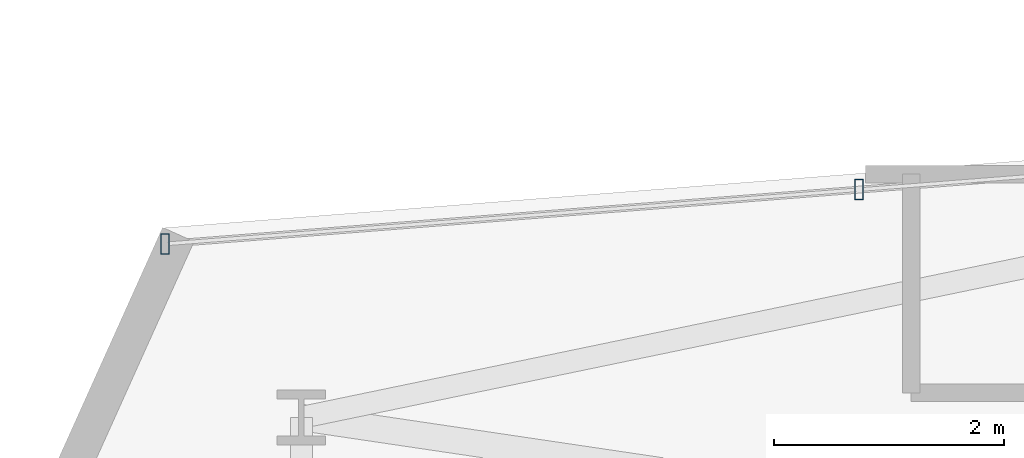
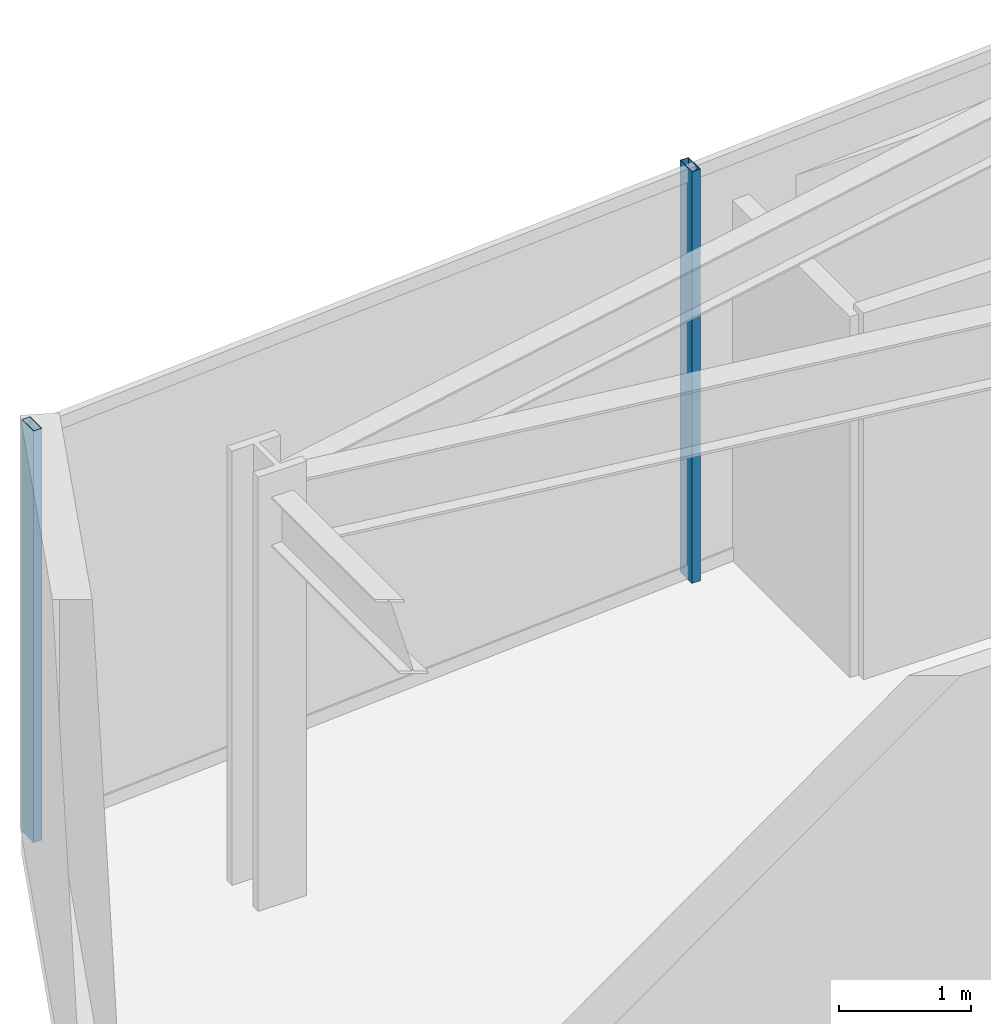
# One storey, part 9 of 29: 2 members, 1 element without a shape of its own.
"""IFC4 building model written with IfcOpenShell, lengths in metres."""

from ifc_helpers import new_model, si_unit, direction, frame, origin, origin_2d, place, context, subcontext, project, spatial, hollow_rectangle, extrude, material, layer, layer_set, material_profile, profile_set, type_object, element, aggregate, save


model = new_model("IFC4")

# Units and contexts
model_context = context("Model", 3, precision=1e-05, world=origin(), true_north=direction((0.0, 1.0)))
body_context = subcontext(model_context, "Body", "Model", "MODEL_VIEW")
ifc_project = project(units=[si_unit("LENGTHUNIT", "METRE"), si_unit("AREAUNIT", "SQUARE_METRE"), si_unit("VOLUMEUNIT", "CUBIC_METRE"), si_unit("PLANEANGLEUNIT", "RADIAN"), si_unit("MASSUNIT", "GRAM", prefix="KILO")], contexts=[model_context])

# Site, building, storey
site_placement = place(None, origin())
site = spatial("IfcSite", under=ifc_project, at=site_placement, CompositionType="ELEMENT")
building_placement = place(site_placement, origin())
building = spatial("IfcBuilding", under=site, at=building_placement, Name="Veymaron Broadcast Tower", CompositionType="ELEMENT")
storey_placement = place(building_placement, frame((0.0, 0.0, 62.10009765625)))
storey = spatial("IfcBuildingStorey", under=building, at=storey_placement, Name="L13", CompositionType="ELEMENT", Elevation=62.10009765625)

# Curtain wall, members
ifc_material_1 = material(Name="Anodised aluminium AA 6063-T6 and laminated low-E dark glass", Category="aluminium")
ifc_layer = layer(ifc_material_1, 0.179931640625)
ifc_layer_set = layer_set([ifc_layer], Name="Anodised aluminium AA 6063-T6 and laminated low-E dark glass")
curtain_wall_type = type_object("IfcCurtainWallType", Name="CW-SYS-02", PredefinedType="NOTDEFINED", material=ifc_layer_set)
curtain_wall_placement = place(storey_placement, origin())
curtain_wall = element("IfcCurtainWall", 1, at=curtain_wall_placement, inside=storey, type_object=curtain_wall_type, Name="L13 dark-glass curtain wall CW-L13-E11-1", PredefinedType="NOTDEFINED")
ifc_material_2 = material(Name="Anodised aluminium AA 6063-T6", Category="aluminium")
ifc_material_profile = material_profile(ifc_material_2, hollow_rectangle(XDim=0.074951171875, YDim=0.179931640625, WallThickness=0.0048828125, at=origin_2d()), Name="AL180X75X5")
ifc_profile_set = profile_set([ifc_material_profile], Name="Anodised aluminium AA 6063-T6")
member_type = type_object("IfcMemberType", Name="CW-MUL-02", PredefinedType="MULLION", material=ifc_profile_set)
member_1_placement = place(storey_placement, frame((13.546875, 29.316162109375, 0.0), z_axis=(0.0, 0.0, 1.0), x_axis=(1.0, 0.0, 0.0)))
member_1 = element("IfcMember", 2, at=member_1_placement, type_object=member_type, Name="CW-L13-E11-1 mullion 2", PredefinedType="MULLION", context=body_context, shape_type="SweptSolid", body=[
    extrude(hollow_rectangle(XDim=0.074951171875, YDim=0.179931640625, WallThickness=0.0048828125, at=origin_2d()), origin(), (0.0, 0.0, 1.0), 3.809814453125),
])
member_2_placement = place(storey_placement, frame((7.510986328125, 28.84375, 0.0), z_axis=(0.0, 0.0, 1.0), x_axis=(1.0, 0.0, 0.0)))
member_2 = element("IfcMember", 3, at=member_2_placement, type_object=member_type, Name="CW-L13-E11-1 mullion 3", PredefinedType="MULLION", context=body_context, shape_type="SweptSolid", body=[
    extrude(hollow_rectangle(XDim=0.074951171875, YDim=0.179931640625, WallThickness=0.0048828125, at=origin_2d()), origin(), (0.0, 0.0, 1.0), 3.809814453125),
])
aggregate(curtain_wall, [member_1, member_2])

save(model, "model.ifc")
